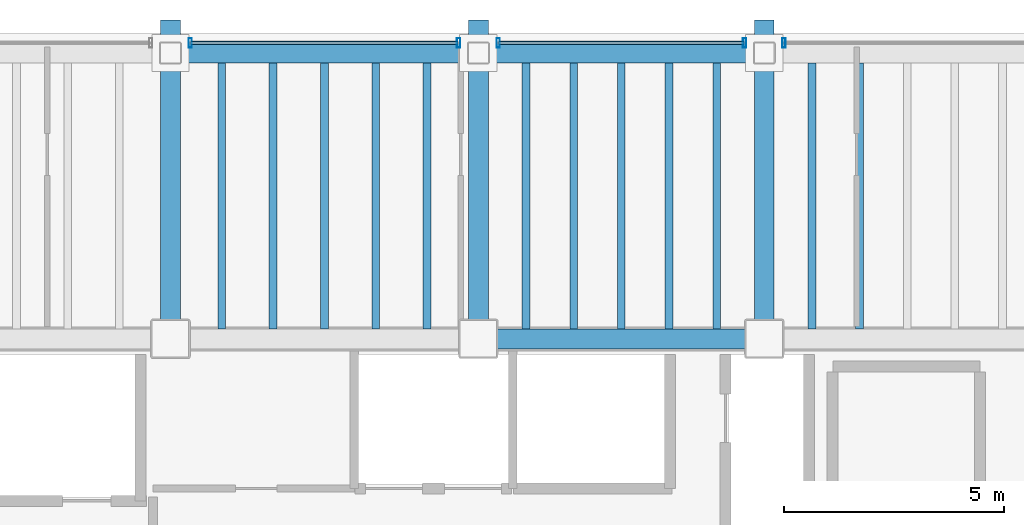
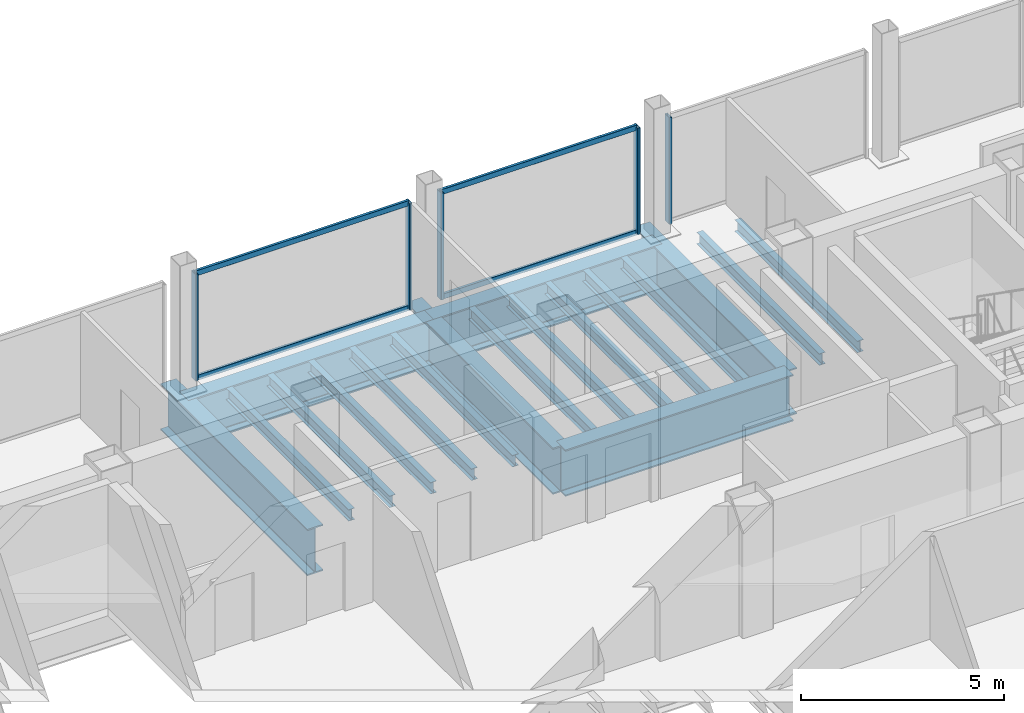
# One storey, part 10 of 19: 18 beams, 9 members, 3 elements without a shape of their own.
"""IFC4 building model written with IfcOpenShell, lengths in metres."""

from ifc_helpers import new_model, si_unit, direction, frame, origin, origin_2d, place, context, subcontext, project, spatial, hollow_rectangle, i_section, extrude, material, material_profile, profile_set, type_object, element, aggregate, save


model = new_model("IFC4")

# Units and contexts
model_context = context("Model", 3, precision=1e-05, world=origin(), true_north=direction((0.0, 1.0)))
body_context = subcontext(model_context, "Body", "Model", "MODEL_VIEW")
ifc_project = project(units=[si_unit("LENGTHUNIT", "METRE"), si_unit("AREAUNIT", "SQUARE_METRE"), si_unit("VOLUMEUNIT", "CUBIC_METRE"), si_unit("PLANEANGLEUNIT", "RADIAN"), si_unit("MASSUNIT", "GRAM", prefix="KILO")], contexts=[model_context])

# Site, building, storey
site_placement = place(None, origin())
site = spatial("IfcSite", under=ifc_project, at=site_placement, CompositionType="ELEMENT")
building_placement = place(site_placement, origin())
building = spatial("IfcBuilding", under=site, at=building_placement, Name="Noeulbin Bourse Tower", CompositionType="ELEMENT")
storey_placement = place(building_placement, frame((0.0, 0.0, 169.5)))
storey = spatial("IfcBuildingStorey", under=building, at=storey_placement, Name="L42", CompositionType="ELEMENT", Elevation=169.5)

# Beams
ifc_material_1 = material(Name="Steel S355", Category="steel")
ifc_material_profile_1 = material_profile(ifc_material_1, i_section(OverallWidth=0.175048828125, OverallDepth=0.35009765625, WebThickness=0.007080078125, FlangeThickness=0.010986328125, FilletRadius=0.013916015625, at=origin_2d()), Name="H-350x175x7x11", Category="LoadBearing")
ifc_profile_set_1 = profile_set([ifc_material_profile_1], Name="Steel S355")
beam_type_1 = type_object("IfcBeamType", Name="BM-JST-350", PredefinedType="JOIST", material=ifc_profile_set_1)
for number, where, z_axis, x_axis, name in (
    (1, (25.166748046875, 38.52490234375, -0.4150390625), (0.0, 1.0, 0.0), (-1.0, 0.0, 0.0), "Tower Composite Joist L42-26"),
    (2, (26.333251953125, 38.52490234375, -0.4150390625), (0.0, 1.0, 0.0), (-1.0, 0.0, 0.0), "Tower Composite Joist L42-28"),
    (3, (27.5, 38.52490234375, -0.4150390625), (0.0, 1.0, 0.0), (-1.0, 0.0, 0.0), "Tower Composite Joist L42-30"),
    (4, (28.666748046875, 38.52490234375, -0.4150390625), (0.0, 1.0, 0.0), (-1.0, 0.0, 0.0), "Tower Composite Joist L42-32"),
    (5, (29.833251953125, 38.52490234375, -0.4150390625), (0.0, 1.0, 0.0), (-1.0, 0.0, 0.0), "Tower Composite Joist L42-34"),
    (6, (32.083251953125, 38.52490234375, -0.4150390625), (0.0, 1.0, 0.0), (-1.0, 0.0, 0.0), "Tower Composite Joist L42-37"),
    (7, (33.166748046875, 38.52490234375, -0.4150390625), (0.0, 1.0, 0.0), (-1.0, 0.0, 0.0), "Tower Composite Joist L42-40"),
    (8, (34.25, 38.52490234375, -0.4150390625), (0.0, 1.0, 0.0), (-1.0, 0.0, 0.0), "Tower Composite Joist L42-43"),
    (9, (35.333251953125, 38.52490234375, -0.4150390625), (0.0, 1.0, 0.0), (-1.0, 0.0, 0.0), "Tower Composite Joist L42-46"),
    (10, (36.416748046875, 38.52490234375, -0.4150390625), (0.0, 1.0, 0.0), (-1.0, 0.0, 0.0), "Tower Composite Joist L42-49"),
    (11, (38.583251953125, 38.52490234375, -0.4150390625), (0.0, 1.0, 0.0), (-1.0, 0.0, 0.0), "Tower Composite Joist L42-52"),
    (12, (39.666748046875, 38.52490234375, -0.4150390625), (0.0, 1.0, 0.0), (-1.0, 0.0, 0.0), "Tower Composite Joist L42-55"),
):
    element("IfcBeam", number, at=place(storey_placement, frame(where, z_axis=z_axis, x_axis=x_axis)), inside=storey, type_object=beam_type_1, Name=name, PredefinedType="JOIST", context=body_context, shape_type="SweptSolid", body=[
        extrude(i_section(OverallWidth=0.175048828125, OverallDepth=0.35009765625, WebThickness=0.007080078125, FlangeThickness=0.010986328125, FilletRadius=0.013916015625, at=origin_2d()), origin(), (0.0, 0.0, 1.0), 6.050048828125),
    ])
ifc_material_2 = material(Name="Steel S460", Category="steel")
ifc_material_profile_2 = material_profile(ifc_material_2, i_section(OverallWidth=0.449951171875, OverallDepth=1.39990234375, WebThickness=0.02392578125, FlangeThickness=0.0400390625, FilletRadius=0.02392578125, at=origin_2d()), Name="PG-1400x450x24x40", Category="LoadBearing")
ifc_profile_set_2 = profile_set([ifc_material_profile_2], Name="Steel S460")
beam_type_2 = type_object("IfcBeamType", Name="BM-TRF-1400", PredefinedType="USERDEFINED", material=ifc_profile_set_2)
beam_1_placement = place(storey_placement, frame((31.0, 38.300048828125, -0.93994140625), z_axis=(1.0, 0.0, 0.0), x_axis=(0.0, 1.0, 0.0)))
element("IfcBeam", 13, at=beam_1_placement, inside=storey, type_object=beam_type_2, Name="Tower Primary Girder EW L42-3.4", ObjectType="GIRDER", PredefinedType="USERDEFINED", context=body_context, shape_type="SweptSolid", body=[
    extrude(i_section(OverallWidth=0.449951171875, OverallDepth=1.39990234375, WebThickness=0.02392578125, FlangeThickness=0.0400390625, FilletRadius=0.02392578125, at=origin_2d()), origin(), (0.0, 0.0, 1.0), 6.5),
])
for number, where, z_axis, x_axis, name in (
    (14, (24.0, 38.300048828125, -0.93994140625), (0.0, 1.0, 0.0), (-1.0, 0.0, 0.0), "Tower Primary Girder NS L42-2.4"),
    (15, (31.0, 38.300048828125, -0.93994140625), (0.0, 1.0, 0.0), (-1.0, 0.0, 0.0), "Tower Primary Girder NS L42-3.4"),
    (16, (37.5, 38.300048828125, -0.93994140625), (0.0, 1.0, 0.0), (-1.0, 0.0, 0.0), "Tower Primary Girder NS L42-4.4"),
):
    element("IfcBeam", number, at=place(storey_placement, frame(where, z_axis=z_axis, x_axis=x_axis)), inside=storey, type_object=beam_type_2, Name=name, ObjectType="GIRDER", PredefinedType="USERDEFINED", context=body_context, shape_type="SweptSolid", body=[
        extrude(i_section(OverallWidth=0.449951171875, OverallDepth=1.39990234375, WebThickness=0.02392578125, FlangeThickness=0.0400390625, FilletRadius=0.02392578125, at=origin_2d()), origin(), (0.0, 0.0, 1.0), 7.25),
    ])
beam_2_placement = place(storey_placement, frame((24.0, 44.800048828125, -0.93994140625), z_axis=(1.0, 0.0, 0.0), x_axis=(0.0, 1.0, 0.0)))
element("IfcBeam", 17, at=beam_2_placement, inside=storey, type_object=beam_type_2, Name="North Spandrel L42-2", ObjectType="GIRDER", PredefinedType="USERDEFINED", context=body_context, shape_type="SweptSolid", body=[
    extrude(i_section(OverallWidth=0.449951171875, OverallDepth=1.39990234375, WebThickness=0.02392578125, FlangeThickness=0.0400390625, FilletRadius=0.02392578125, at=origin_2d()), origin(), (0.0, 0.0, 1.0), 7.0),
])
beam_3_placement = place(storey_placement, frame((31.0, 44.800048828125, -0.93994140625), z_axis=(1.0, 0.0, 0.0), x_axis=(0.0, 1.0, 0.0)))
element("IfcBeam", 18, at=beam_3_placement, inside=storey, type_object=beam_type_2, Name="North Spandrel L42-3", ObjectType="GIRDER", PredefinedType="USERDEFINED", context=body_context, shape_type="SweptSolid", body=[
    extrude(i_section(OverallWidth=0.449951171875, OverallDepth=1.39990234375, WebThickness=0.02392578125, FlangeThickness=0.0400390625, FilletRadius=0.02392578125, at=origin_2d()), origin(), (0.0, 0.0, 1.0), 6.5),
])

# Curtain wall, members
ifc_material_3 = material(Name="Dark Tinted Triple Glazing", Category="glass")
curtain_wall_type = type_object("IfcCurtainWallType", Name="CW-SYS-3", PredefinedType="NOTDEFINED", material=ifc_material_3)
curtain_wall_1_placement = place(storey_placement, origin())
curtain_wall_1 = element("IfcCurtainWall", 19, at=curtain_wall_1_placement, inside=storey, type_object=curtain_wall_type, Name="Unitised Curtain Wall CW-L42-N-S2", PredefinedType="NOTDEFINED")
ifc_material_4 = material(Name="Anodised Aluminium 6063-T6", Category="aluminium")
ifc_material_profile_3 = material_profile(ifc_material_4, hollow_rectangle(XDim=0.074951171875, YDim=0.219970703125, WallThickness=0.0048828125, InnerFilletRadius=0.00244140625, OuterFilletRadius=0.0048828125, at=origin_2d()), Name="ALU-MULL-75x220x5", Category="LoadBearing")
ifc_profile_set_3 = profile_set([ifc_material_profile_3], Name="Anodised Aluminium 6063-T6")
member_type_1 = type_object("IfcMemberType", Name="CW-SYS-3-MUL", PredefinedType="MULLION", material=ifc_profile_set_3)
member_1_placement = place(storey_placement, frame((24.449951171875, 45.030029296875, -0.02001953125), z_axis=(0.0, 0.0, 1.0), x_axis=(1.0, 0.0, 0.0)))
member_1 = element("IfcMember", 20, at=member_1_placement, type_object=member_type_1, Name="Curtain Wall Mullion CW-L42-N-S2-M00", PredefinedType="MULLION", context=body_context, shape_type="SweptSolid", body=[
    extrude(hollow_rectangle(XDim=0.074951171875, YDim=0.219970703125, WallThickness=0.0048828125, InnerFilletRadius=0.00244140625, OuterFilletRadius=0.0048828125, at=origin_2d()), origin(), (0.0, 0.0, 1.0), 3.219970703125),
])
member_2_placement = place(storey_placement, frame((30.550048828125, 45.030029296875, -0.02001953125), z_axis=(0.0, 0.0, 1.0), x_axis=(1.0, 0.0, 0.0)))
member_2 = element("IfcMember", 21, at=member_2_placement, type_object=member_type_1, Name="Curtain Wall Mullion CW-L42-N-S2-M01", PredefinedType="MULLION", context=body_context, shape_type="SweptSolid", body=[
    extrude(hollow_rectangle(XDim=0.074951171875, YDim=0.219970703125, WallThickness=0.0048828125, InnerFilletRadius=0.00244140625, OuterFilletRadius=0.0048828125, at=origin_2d()), origin(), (0.0, 0.0, 1.0), 3.219970703125),
])

curtain_wall_2_placement = place(storey_placement, origin())
curtain_wall_2 = element("IfcCurtainWall", 22, at=curtain_wall_2_placement, inside=storey, type_object=curtain_wall_type, Name="Unitised Curtain Wall CW-L42-N-S3", PredefinedType="NOTDEFINED")
member_3_placement = place(storey_placement, frame((31.449951171875, 45.030029296875, -0.02001953125), z_axis=(0.0, 0.0, 1.0), x_axis=(1.0, 0.0, 0.0)))
member_3 = element("IfcMember", 23, at=member_3_placement, type_object=member_type_1, Name="Curtain Wall Mullion CW-L42-N-S3-M00", PredefinedType="MULLION", context=body_context, shape_type="SweptSolid", body=[
    extrude(hollow_rectangle(XDim=0.074951171875, YDim=0.219970703125, WallThickness=0.0048828125, InnerFilletRadius=0.00244140625, OuterFilletRadius=0.0048828125, at=origin_2d()), origin(), (0.0, 0.0, 1.0), 3.219970703125),
])
member_4_placement = place(storey_placement, frame((37.050048828125, 45.030029296875, -0.02001953125), z_axis=(0.0, 0.0, 1.0), x_axis=(1.0, 0.0, 0.0)))
member_4 = element("IfcMember", 24, at=member_4_placement, type_object=member_type_1, Name="Curtain Wall Mullion CW-L42-N-S3-M01", PredefinedType="MULLION", context=body_context, shape_type="SweptSolid", body=[
    extrude(hollow_rectangle(XDim=0.074951171875, YDim=0.219970703125, WallThickness=0.0048828125, InnerFilletRadius=0.00244140625, OuterFilletRadius=0.0048828125, at=origin_2d()), origin(), (0.0, 0.0, 1.0), 3.219970703125),
])

# Curtain wall, member
curtain_wall_3_placement = place(storey_placement, origin())
curtain_wall_3 = element("IfcCurtainWall", 25, at=curtain_wall_3_placement, inside=storey, type_object=curtain_wall_type, Name="Unitised Curtain Wall CW-L42-N-S4", PredefinedType="NOTDEFINED")
member_5_placement = place(storey_placement, frame((37.949951171875, 45.030029296875, -0.02001953125), z_axis=(0.0, 0.0, 1.0), x_axis=(1.0, 0.0, 0.0)))
member_5 = element("IfcMember", 26, at=member_5_placement, type_object=member_type_1, Name="Curtain Wall Mullion CW-L42-N-S4-M00", PredefinedType="MULLION", context=body_context, shape_type="SweptSolid", body=[
    extrude(hollow_rectangle(XDim=0.074951171875, YDim=0.219970703125, WallThickness=0.0048828125, InnerFilletRadius=0.00244140625, OuterFilletRadius=0.0048828125, at=origin_2d()), origin(), (0.0, 0.0, 1.0), 3.219970703125),
])
aggregate(curtain_wall_3, [member_5])

# Member
ifc_material_profile_4 = material_profile(ifc_material_4, hollow_rectangle(XDim=0.074951171875, YDim=0.159912109375, WallThickness=0.0048828125, InnerFilletRadius=0.00244140625, OuterFilletRadius=0.0048828125, at=origin_2d()), Name="ALU-TRAN-75x160x5", Category="LoadBearing")
ifc_profile_set_4 = profile_set([ifc_material_profile_4], Name="Anodised Aluminium 6063-T6")
member_type_2 = type_object("IfcMemberType", Name="CW-SYS-3-TRN", PredefinedType="USERDEFINED", material=ifc_profile_set_4)
member_6_placement = place(storey_placement, frame((24.4599609375, 45.030029296875, 0.010009765625), z_axis=(1.0, 0.0, 0.0), x_axis=(0.0, 1.0, 0.0)))
member_6 = element("IfcMember", 27, at=member_6_placement, type_object=member_type_2, Name="Curtain Wall Transom CW-L42-N-S2-T00", ObjectType="TRANSOM", PredefinedType="USERDEFINED", context=body_context, shape_type="SweptSolid", body=[
    extrude(hollow_rectangle(XDim=0.074951171875, YDim=0.159912109375, WallThickness=0.0048828125, InnerFilletRadius=0.00244140625, OuterFilletRadius=0.0048828125, at=origin_2d()), origin(), (0.0, 0.0, 1.0), 6.080078125),
])

member_7_placement = place(storey_placement, frame((24.4599609375, 45.030029296875, 3.169921875), z_axis=(1.0, 0.0, 0.0), x_axis=(0.0, 1.0, 0.0)))
member_7 = element("IfcMember", 28, at=member_7_placement, type_object=member_type_2, Name="Curtain Wall Transom CW-L42-N-S2-T01", ObjectType="TRANSOM", PredefinedType="USERDEFINED", context=body_context, shape_type="SweptSolid", body=[
    extrude(hollow_rectangle(XDim=0.074951171875, YDim=0.159912109375, WallThickness=0.0048828125, InnerFilletRadius=0.00244140625, OuterFilletRadius=0.0048828125, at=origin_2d()), origin(), (0.0, 0.0, 1.0), 6.080078125),
])

aggregate(curtain_wall_1, [member_1, member_2, member_6, member_7])

member_8_placement = place(storey_placement, frame((31.4599609375, 45.030029296875, 0.010009765625), z_axis=(1.0, 0.0, 0.0), x_axis=(0.0, 1.0, 0.0)))
member_8 = element("IfcMember", 29, at=member_8_placement, type_object=member_type_2, Name="Curtain Wall Transom CW-L42-N-S3-T00", ObjectType="TRANSOM", PredefinedType="USERDEFINED", context=body_context, shape_type="SweptSolid", body=[
    extrude(hollow_rectangle(XDim=0.074951171875, YDim=0.159912109375, WallThickness=0.0048828125, InnerFilletRadius=0.00244140625, OuterFilletRadius=0.0048828125, at=origin_2d()), origin(), (0.0, 0.0, 1.0), 5.580078125),
])

member_9_placement = place(storey_placement, frame((31.4599609375, 45.030029296875, 3.169921875), z_axis=(1.0, 0.0, 0.0), x_axis=(0.0, 1.0, 0.0)))
member_9 = element("IfcMember", 30, at=member_9_placement, type_object=member_type_2, Name="Curtain Wall Transom CW-L42-N-S3-T01", ObjectType="TRANSOM", PredefinedType="USERDEFINED", context=body_context, shape_type="SweptSolid", body=[
    extrude(hollow_rectangle(XDim=0.074951171875, YDim=0.159912109375, WallThickness=0.0048828125, InnerFilletRadius=0.00244140625, OuterFilletRadius=0.0048828125, at=origin_2d()), origin(), (0.0, 0.0, 1.0), 5.580078125),
])

aggregate(curtain_wall_2, [member_3, member_4, member_8, member_9])

save(model, "model.ifc")
